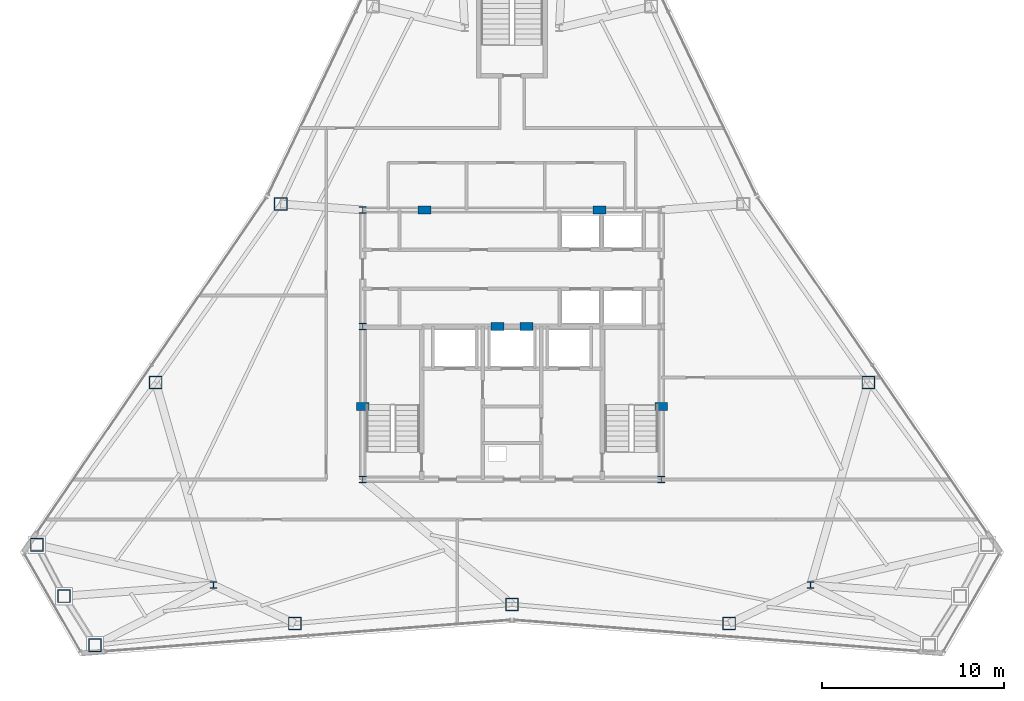
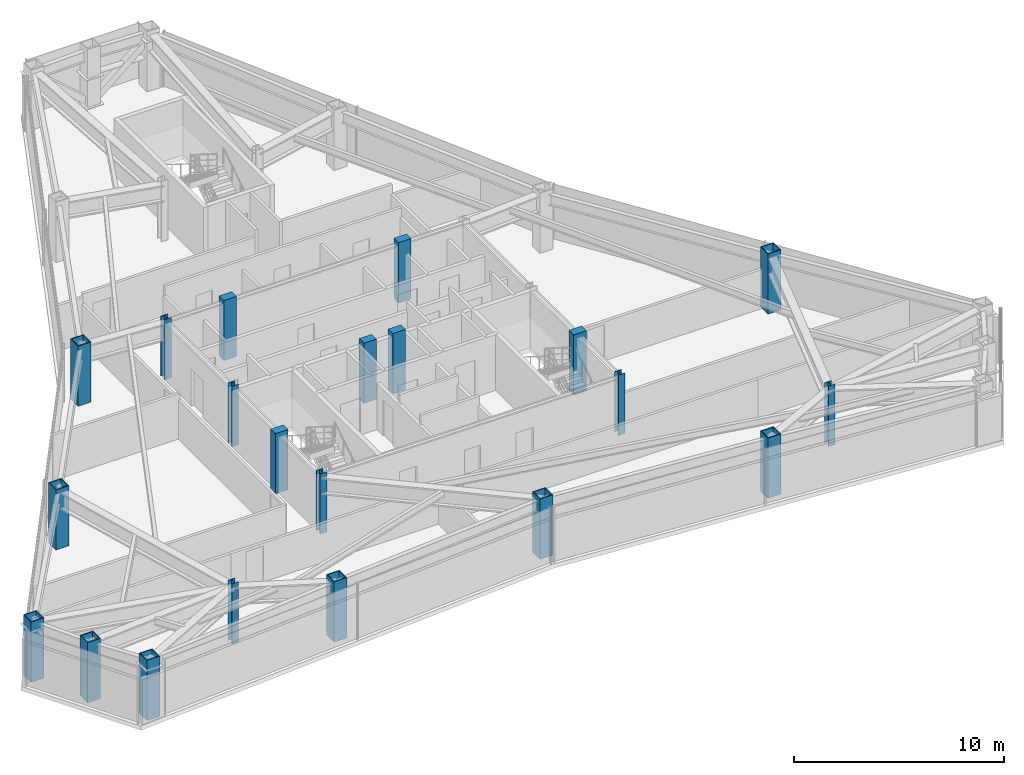
# One storey, part 1 of 12: 21 columns.
"""IFC4 building model written with IfcOpenShell, lengths in metres."""

from ifc_helpers import new_model, si_unit, direction, frame, origin, origin_2d, place, context, subcontext, project, spatial, rectangle, hollow_rectangle, i_section, extrude, material, material_profile, profile_set, type_object, element, save


model = new_model("IFC4")

# Units and contexts
model_context = context("Model", 3, precision=1e-05, world=origin(), true_north=direction((0.0, 1.0)))
body_context = subcontext(model_context, "Body", "Model", "MODEL_VIEW")
ifc_project = project(units=[si_unit("LENGTHUNIT", "METRE"), si_unit("AREAUNIT", "SQUARE_METRE"), si_unit("VOLUMEUNIT", "CUBIC_METRE"), si_unit("PLANEANGLEUNIT", "RADIAN"), si_unit("MASSUNIT", "GRAM", prefix="KILO")], contexts=[model_context])

# Site, building, storey
site_placement = place(None, origin())
site = spatial("IfcSite", under=ifc_project, at=site_placement, CompositionType="ELEMENT")
building_placement = place(site_placement, origin())
building = spatial("IfcBuilding", under=site, at=building_placement, Name="Varakhsha Concourse Tower", CompositionType="ELEMENT")
storey_placement = place(building_placement, frame((0.0, 0.0, 222.39990234375)))
storey = spatial("IfcBuildingStorey", under=building, at=storey_placement, Name="L63", CompositionType="ELEMENT", Elevation=222.39990234375)

# Columns
ifc_material_1 = material(Name="Structural Steel ASTM A992 Grade 50", Category="steel")
ifc_material_profile_1 = material_profile(ifc_material_1, i_section(OverallWidth=0.3740234375, OverallDepth=0.3720703125, WebThickness=0.01611328125, FlangeThickness=0.02587890625, at=origin_2d()), Name="W14X132")
ifc_profile_set_1 = profile_set([ifc_material_profile_1], Name="Structural Steel ASTM A992 Grade 50")
column_type_1 = type_object("IfcColumnType", Name="CL-CORE-W14X132", PredefinedType="COLUMN", material=ifc_profile_set_1)
for number, where, z_axis, x_axis, name in (
    (1, (31.800048828125, 16.39990234375, 0.0), (0.0, 0.0, 1.0), (1.0, 0.0, 0.0), "L63 Core Column CC-SW"),
    (2, (48.199951171875, 16.39990234375, 0.0), (0.0, 0.0, 1.0), (1.0, 0.0, 0.0), "L63 Core Column CC-SE"),
    (3, (31.800048828125, 24.800048828125, 0.0), (0.0, 0.0, 1.0), (1.0, 0.0, 0.0), "L63 Core Column CC-MW"),
    (4, (31.800048828125, 31.199951171875, 0.0), (0.0, 0.0, 1.0), (1.0, 0.0, 0.0), "L63 Core Column CC-NW"),
    (5, (23.60009765625, 10.60009765625, 0.0), (0.0, 0.0, 1.0), (1.0, 0.0, 0.0), "L63 Core Column SS-W"),
    (6, (56.39990234375, 10.60009765625, 0.0), (0.0, 0.0, 1.0), (1.0, 0.0, 0.0), "L63 Core Column SS-E"),
):
    element("IfcColumn", number, at=place(storey_placement, frame(where, z_axis=z_axis, x_axis=x_axis)), inside=storey, type_object=column_type_1, Name=name, PredefinedType="COLUMN", context=body_context, shape_type="SweptSolid", body=[
        extrude(i_section(OverallWidth=0.3740234375, OverallDepth=0.3720703125, WebThickness=0.01611328125, FlangeThickness=0.02587890625, at=origin_2d()), origin(), (0.0, 0.0, 1.0), 3.5),
    ])
ifc_material_2 = material(Name="Concrete fc 65 MPa", Category="concrete")
ifc_material_profile_2 = material_profile(ifc_material_2, rectangle(XDim=0.699951171875, YDim=0.449951171875, at=origin_2d()), Name="RC 700x450")
ifc_profile_set_2 = profile_set([ifc_material_profile_2], Name="Concrete fc 65 MPa")
column_type_2 = type_object("IfcColumnType", Name="CL-PIL-700X450", PredefinedType="PILASTER", material=ifc_profile_set_2)
for number, where, z_axis, x_axis, name in (
    (7, (31.800048828125, 20.39990234375, 0.0), (0.0, 0.0, 1.0), (1.0, 0.0, 0.0), "L63 Core Boundary Pilaster PIL-W1"),
    (8, (48.199951171875, 20.39990234375, 0.0), (0.0, 0.0, 1.0), (1.0, 0.0, 0.0), "L63 Core Boundary Pilaster PIL-E1"),
    (9, (35.199951171875, 31.199951171875, 0.0), (0.0, 0.0, 1.0), (1.0, 0.0, 0.0), "L63 Core Boundary Pilaster PIL-N1"),
    (10, (44.800048828125, 31.199951171875, 0.0), (0.0, 0.0, 1.0), (1.0, 0.0, 0.0), "L63 Core Boundary Pilaster PIL-N2"),
    (11, (39.199951171875, 24.800048828125, 0.0), (0.0, 0.0, 1.0), (1.0, 0.0, 0.0), "L63 Core Boundary Pilaster PIL-M1"),
    (12, (40.800048828125, 24.800048828125, 0.0), (0.0, 0.0, 1.0), (1.0, 0.0, 0.0), "L63 Core Boundary Pilaster PIL-M2"),
):
    element("IfcColumn", number, at=place(storey_placement, frame(where, z_axis=z_axis, x_axis=x_axis)), inside=storey, type_object=column_type_2, Name=name, PredefinedType="PILASTER", context=body_context, shape_type="SweptSolid", body=[
        extrude(rectangle(XDim=0.699951171875, YDim=0.449951171875, at=origin_2d()), origin(), (0.0, 0.0, 1.0), 3.5),
    ])
ifc_material_3 = material(Name="Structural Steel ASTM A572 Grade 50", Category="steel")
ifc_material_profile_3 = material_profile(ifc_material_3, hollow_rectangle(XDim=0.719970703125, YDim=0.719970703125, WallThickness=0.050048828125, at=origin_2d()), Name="BOX 720x720x50")
ifc_profile_set_3 = profile_set([ifc_material_profile_3], Name="Structural Steel ASTM A572 Grade 50")
column_type_3 = type_object("IfcColumnType", Name="CL-TUBE-720", PredefinedType="COLUMN", material=ifc_profile_set_3)
for number, where, z_axis, x_axis, name in (
    (13, (27.301025390625, 31.53173828125, 0.0), (0.0, 0.0, 1.0), (1.0, 0.0, 0.0), "L63 Framed-Tube Column TC05"),
    (14, (20.427001953125, 21.72607421875, 0.0), (0.0, 0.0, 1.0), (1.0, 0.0, 0.0), "L63 Framed-Tube Column TC06"),
    (15, (13.905029296875, 12.813720703125, 0.0), (0.0, 0.0, 1.0), (1.0, 0.0, 0.0), "L63 Framed-Tube Column TC07"),
    (16, (15.3896484375, 9.9912109375, 0.0), (0.0, 0.0, 1.0), (1.0, 0.0, 0.0), "L63 Framed-Tube Column TC08"),
    (17, (17.091796875, 7.294189453125, 0.0), (0.0, 0.0, 1.0), (1.0, 0.0, 0.0), "L63 Framed-Tube Column TC09"),
    (18, (28.071044921875, 8.486328125, 0.0), (0.0, 0.0, 1.0), (1.0, 0.0, 0.0), "L63 Framed-Tube Column TC10"),
    (19, (40.0, 9.53662109375, 0.0), (0.0, 0.0, 1.0), (1.0, 0.0, 0.0), "L63 Framed-Tube Column TC11"),
    (20, (51.928955078125, 8.486328125, 0.0), (0.0, 0.0, 1.0), (1.0, 0.0, 0.0), "L63 Framed-Tube Column TC12"),
    (21, (59.572998046875, 21.72607421875, 0.0), (0.0, 0.0, 1.0), (1.0, 0.0, 0.0), "L63 Framed-Tube Column TC16"),
):
    element("IfcColumn", number, at=place(storey_placement, frame(where, z_axis=z_axis, x_axis=x_axis)), inside=storey, type_object=column_type_3, Name=name, PredefinedType="COLUMN", context=body_context, shape_type="SweptSolid", body=[
        extrude(hollow_rectangle(XDim=0.719970703125, YDim=0.719970703125, WallThickness=0.050048828125, at=origin_2d()), origin(), (0.0, 0.0, 1.0), 3.5),
    ])

save(model, "model.ifc")
